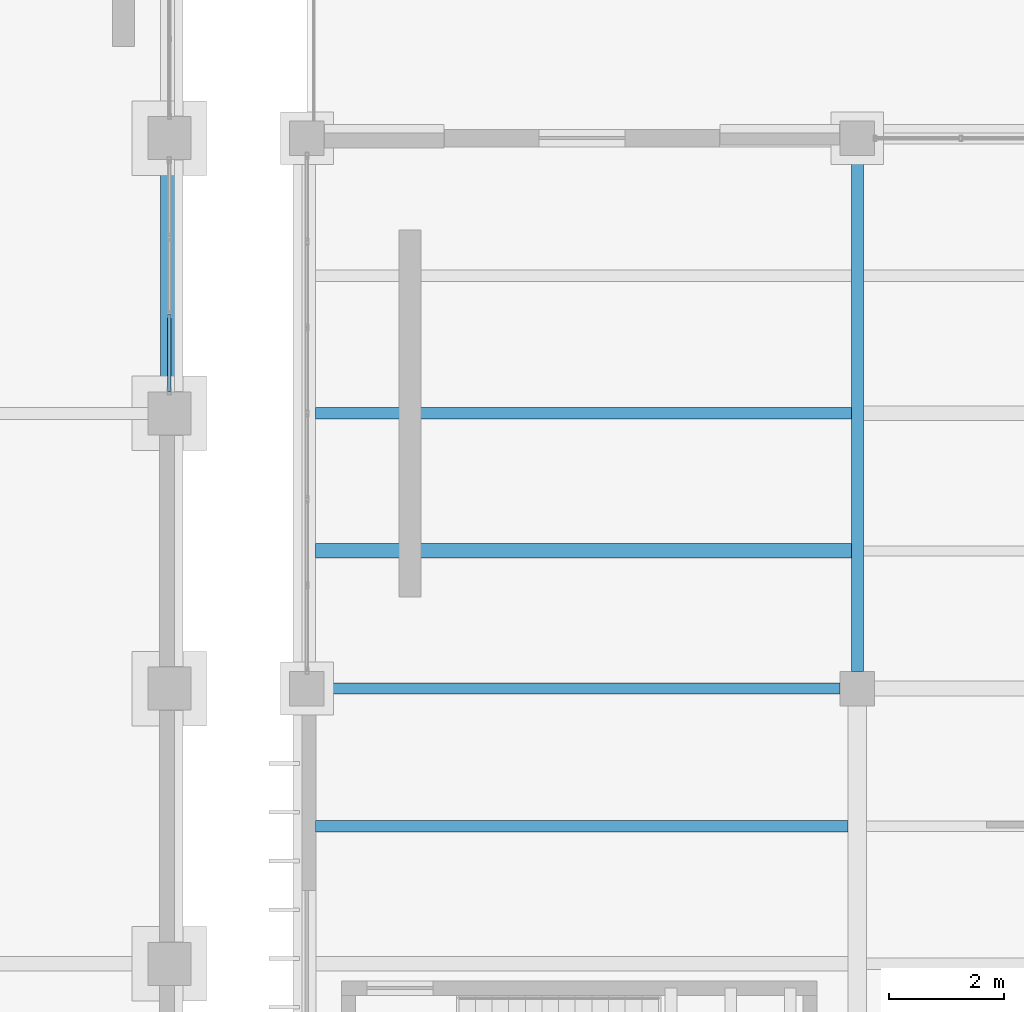
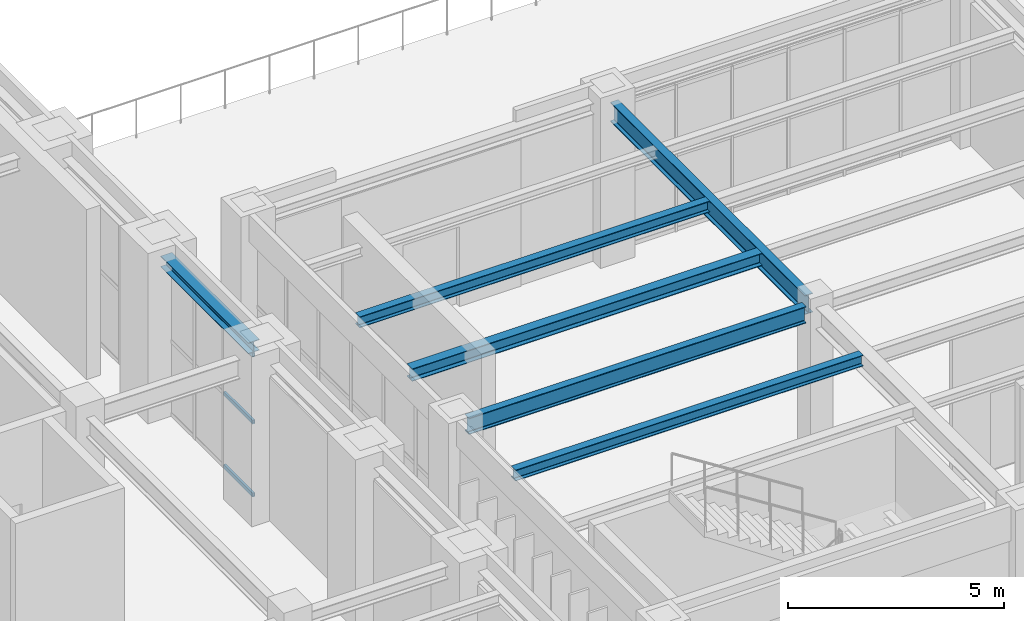
# One storey, part 10 of 83: 6 beams, 3 members, 1 element without a shape of its own.
"""IFC4 building model written with IfcOpenShell, lengths in metres."""

from ifc_helpers import new_model, si_unit, direction, frame, origin, origin_2d, place, context, subcontext, project, spatial, hollow_rectangle, i_section, extrude, material, material_profile, profile_set, type_object, element, aggregate, save


model = new_model("IFC4")

# Units and contexts
model_context = context("Model", 3, precision=1e-05, world=origin(), true_north=direction((0.0, 1.0)))
body_context = subcontext(model_context, "Body", "Model", "MODEL_VIEW")
ifc_project = project(units=[si_unit("LENGTHUNIT", "METRE"), si_unit("AREAUNIT", "SQUARE_METRE"), si_unit("VOLUMEUNIT", "CUBIC_METRE"), si_unit("PLANEANGLEUNIT", "RADIAN"), si_unit("MASSUNIT", "GRAM", prefix="KILO")], contexts=[model_context])

# Site, building, storey
site_placement = place(None, origin())
site = spatial("IfcSite", under=ifc_project, at=site_placement, CompositionType="ELEMENT")
building_placement = place(site_placement, origin())
building = spatial("IfcBuilding", under=site, at=building_placement, Name="Mavantir Sound Aquarium", CompositionType="ELEMENT")
storey_placement = place(building_placement, frame((0.0, 0.0, 10.5)))
storey = spatial("IfcBuildingStorey", under=building, at=storey_placement, Name="L02", CompositionType="ELEMENT", Elevation=10.5)

# Beams
ifc_material_1 = material(Name="Structural Steel ASTM A992 Gr50", Category="steel")
ifc_material_profile_1 = material_profile(ifc_material_1, i_section(OverallWidth=0.205078125, OverallDepth=0.31005859375, WebThickness=0.009521484375, FlangeThickness=0.016357421875, FilletRadius=0.012939453125, at=origin_2d()), Name="W310X74")
ifc_profile_set_1 = profile_set([ifc_material_profile_1], Name="Structural Steel ASTM A992 Gr50")
beam_type_1 = type_object("IfcBeamType", Name="BM-W310X74-I", PredefinedType="JOIST", material=ifc_profile_set_1)
beam_1_placement = place(storey_placement, frame((36.152587890625, 48.0, 4.361083984375), z_axis=(1.0, 0.0, 0.0), x_axis=(0.0, 1.0, 0.0)))
element("IfcBeam", 1, at=beam_1_placement, inside=storey, type_object=beam_type_1, Name="L02 secondary floor joist SJ-31 867", PredefinedType="JOIST", context=body_context, shape_type="SweptSolid", body=[
    extrude(i_section(OverallWidth=0.205078125, OverallDepth=0.31005859375, WebThickness=0.009521484375, FlangeThickness=0.016357421875, FilletRadius=0.012939453125, at=origin_2d()), origin(), (0.0, 0.0, 1.0), 9.285400390625),
])
beam_2_placement = place(storey_placement, frame((36.152587890625, 55.199951171875, 4.321044921875), z_axis=(1.0, 0.0, 0.0), x_axis=(0.0, 1.0, 0.0)))
element("IfcBeam", 2, at=beam_2_placement, inside=storey, type_object=beam_type_1, Name="L02 secondary floor joist SJ-31 871", PredefinedType="JOIST", context=body_context, shape_type="SweptSolid", body=[
    extrude(i_section(OverallWidth=0.205078125, OverallDepth=0.31005859375, WebThickness=0.009521484375, FlangeThickness=0.016357421875, FilletRadius=0.012939453125, at=origin_2d()), origin(), (0.0, 0.0, 1.0), 9.34130859375),
])
ifc_material_profile_2 = material_profile(ifc_material_1, i_section(OverallWidth=0.304931640625, OverallDepth=0.30810546875, WebThickness=0.010009765625, FlangeThickness=0.015380859375, FilletRadius=0.014892578125, at=origin_2d()), Name="W310X97")
ifc_profile_set_2 = profile_set([ifc_material_profile_2], Name="Structural Steel ASTM A992 Gr50")
beam_type_2 = type_object("IfcBeamType", Name="BM-W310X97-E", PredefinedType="SPANDREL", material=ifc_profile_set_2)
beam_3_placement = place(storey_placement, frame((33.60009765625, 55.574951171875, 4.241943359375), z_axis=(0.0, 1.0, 0.0), x_axis=(-1.0, 0.0, 0.0)))
element("IfcBeam", 3, at=beam_3_placement, inside=storey, type_object=beam_type_2, Name="L02 primary girder SS-31A 1476", PredefinedType="SPANDREL", context=body_context, shape_type="SweptSolid", body=[
    extrude(i_section(OverallWidth=0.304931640625, OverallDepth=0.30810546875, WebThickness=0.010009765625, FlangeThickness=0.015380859375, FilletRadius=0.014892578125, at=origin_2d()), origin(), (0.0, 0.0, 1.0), 4.050048828125),
])
ifc_material_profile_3 = material_profile(ifc_material_1, i_section(OverallWidth=0.25390625, OverallDepth=0.35302734375, WebThickness=0.009521484375, FlangeThickness=0.016357421875, FilletRadius=0.014892578125, at=origin_2d()), Name="W360X91")
ifc_profile_set_3 = profile_set([ifc_material_profile_3], Name="Structural Steel ASTM A992 Gr50")
beam_type_3 = type_object("IfcBeamType", Name="BM-W360X91-I", PredefinedType="JOIST", material=ifc_profile_set_3)
beam_4_placement = place(storey_placement, frame((36.152587890625, 52.800048828125, 4.299560546875), z_axis=(1.0, 0.0, 0.0), x_axis=(0.0, 1.0, 0.0)))
element("IfcBeam", 4, at=beam_4_placement, inside=storey, type_object=beam_type_3, Name="L02 secondary floor joist SJ-36 870", PredefinedType="JOIST", context=body_context, shape_type="SweptSolid", body=[
    extrude(i_section(OverallWidth=0.25390625, OverallDepth=0.35302734375, WebThickness=0.009521484375, FlangeThickness=0.016357421875, FilletRadius=0.014892578125, at=origin_2d()), origin(), (0.0, 0.0, 1.0), 9.34130859375),
])
ifc_material_profile_4 = material_profile(ifc_material_1, i_section(OverallWidth=0.194091796875, OverallDepth=0.468994140625, WebThickness=0.0126953125, FlangeThickness=0.0205078125, FilletRadius=0.01611328125, at=origin_2d()), Name="W460X106")
ifc_profile_set_4 = profile_set([ifc_material_profile_4], Name="Structural Steel ASTM A992 Gr50")
beam_type_4 = type_object("IfcBeamType", Name="BM-W460X106-I", PredefinedType="BEAM", material=ifc_profile_set_4)
beam_5_placement = place(storey_placement, frame((36.300048828125, 50.39990234375, 4.241455078125), z_axis=(1.0, 0.0, 0.0), x_axis=(0.0, 1.0, 0.0)))
element("IfcBeam", 5, at=beam_5_placement, inside=storey, type_object=beam_type_4, Name="L02 primary beam SB-46 1483", PredefinedType="BEAM", context=body_context, shape_type="SweptSolid", body=[
    extrude(i_section(OverallWidth=0.194091796875, OverallDepth=0.468994140625, WebThickness=0.0126953125, FlangeThickness=0.0205078125, FilletRadius=0.01611328125, at=origin_2d()), origin(), (0.0, 0.0, 1.0), 9.0),
])
ifc_material_profile_5 = material_profile(ifc_material_1, i_section(OverallWidth=0.2119140625, OverallDepth=0.5439453125, WebThickness=0.01318359375, FlangeThickness=0.021240234375, FilletRadius=0.01806640625, at=origin_2d()), Name="W530X123")
ifc_profile_set_5 = profile_set([ifc_material_profile_5], Name="Structural Steel ASTM A992 Gr50")
beam_type_5 = type_object("IfcBeamType", Name="BM-W530X123-I", PredefinedType="BEAM", material=ifc_profile_set_5)
beam_6_placement = place(storey_placement, frame((45.60009765625, 50.699951171875, 4.2041015625), z_axis=(0.0, 1.0, 0.0), x_axis=(-1.0, 0.0, 0.0)))
element("IfcBeam", 6, at=beam_6_placement, inside=storey, type_object=beam_type_5, Name="L02 primary girder SB-53 1490", PredefinedType="BEAM", context=body_context, shape_type="SweptSolid", body=[
    extrude(i_section(OverallWidth=0.2119140625, OverallDepth=0.5439453125, WebThickness=0.01318359375, FlangeThickness=0.021240234375, FilletRadius=0.01806640625, at=origin_2d()), origin(), (0.0, 0.0, 1.0), 9.0),
])

# Curtain wall, members
ifc_material_2 = material(Name="Anodised Marine Aluminium and Low-E Glass", Category="aluminium")
curtain_wall_type = type_object("IfcCurtainWallType", Name="CW-T02", PredefinedType="USERDEFINED", material=ifc_material_2)
curtain_wall_placement = place(storey_placement, origin())
curtain_wall = element("IfcCurtainWall", 7, at=curtain_wall_placement, inside=storey, type_object=curtain_wall_type, Name="L02 unitised curtain wall CW-02 122", ObjectType="UNITISED GLAZING", PredefinedType="USERDEFINED")
ifc_material_3 = material(Name="Anodised Marine Aluminium 6063-T6", Category="aluminium")
ifc_material_profile_6 = material_profile(ifc_material_3, hollow_rectangle(XDim=0.06005859375, YDim=0.110107421875, WallThickness=0.00390625, at=origin_2d()), Name="ALU-TRANSOM-110X60")
ifc_profile_set_6 = profile_set([ifc_material_profile_6], Name="Anodised Marine Aluminium 6063-T6")
member_type = type_object("IfcMemberType", Name="CW-TRN-110", PredefinedType="USERDEFINED", material=ifc_profile_set_6)
member_1_placement = place(storey_placement, frame((33.60009765625, 55.5830078125, 0.054931640625), z_axis=(0.0, 1.0, 0.0), x_axis=(-1.0, 0.0, 0.0)))
member_1 = element("IfcMember", 8, at=member_1_placement, type_object=member_type, Name="CW-L02-122 transom 1.1", ObjectType="TRANSOM", PredefinedType="USERDEFINED", context=body_context, shape_type="SweptSolid", body=[
    extrude(hollow_rectangle(XDim=0.06005859375, YDim=0.110107421875, WallThickness=0.00390625, at=origin_2d()), origin(), (0.0, 0.0, 1.0), 1.3447265625),
])
member_2_placement = place(storey_placement, frame((33.60009765625, 55.5830078125, 2.110107421875), z_axis=(0.0, 1.0, 0.0), x_axis=(-1.0, 0.0, 0.0)))
member_2 = element("IfcMember", 9, at=member_2_placement, type_object=member_type, Name="CW-L02-122 transom 1.2", ObjectType="TRANSOM", PredefinedType="USERDEFINED", context=body_context, shape_type="SweptSolid", body=[
    extrude(hollow_rectangle(XDim=0.06005859375, YDim=0.110107421875, WallThickness=0.00390625, at=origin_2d()), origin(), (0.0, 0.0, 1.0), 1.3447265625),
])
member_3_placement = place(storey_placement, frame((33.60009765625, 55.5830078125, 4.0029296875), z_axis=(0.0, 1.0, 0.0), x_axis=(-1.0, 0.0, 0.0)))
member_3 = element("IfcMember", 10, at=member_3_placement, type_object=member_type, Name="CW-L02-122 transom 1.3", ObjectType="TRANSOM", PredefinedType="USERDEFINED", context=body_context, shape_type="SweptSolid", body=[
    extrude(hollow_rectangle(XDim=0.06005859375, YDim=0.110107421875, WallThickness=0.00390625, at=origin_2d()), origin(), (0.0, 0.0, 1.0), 1.3447265625),
])
aggregate(curtain_wall, [member_1, member_2, member_3])

save(model, "model.ifc")
